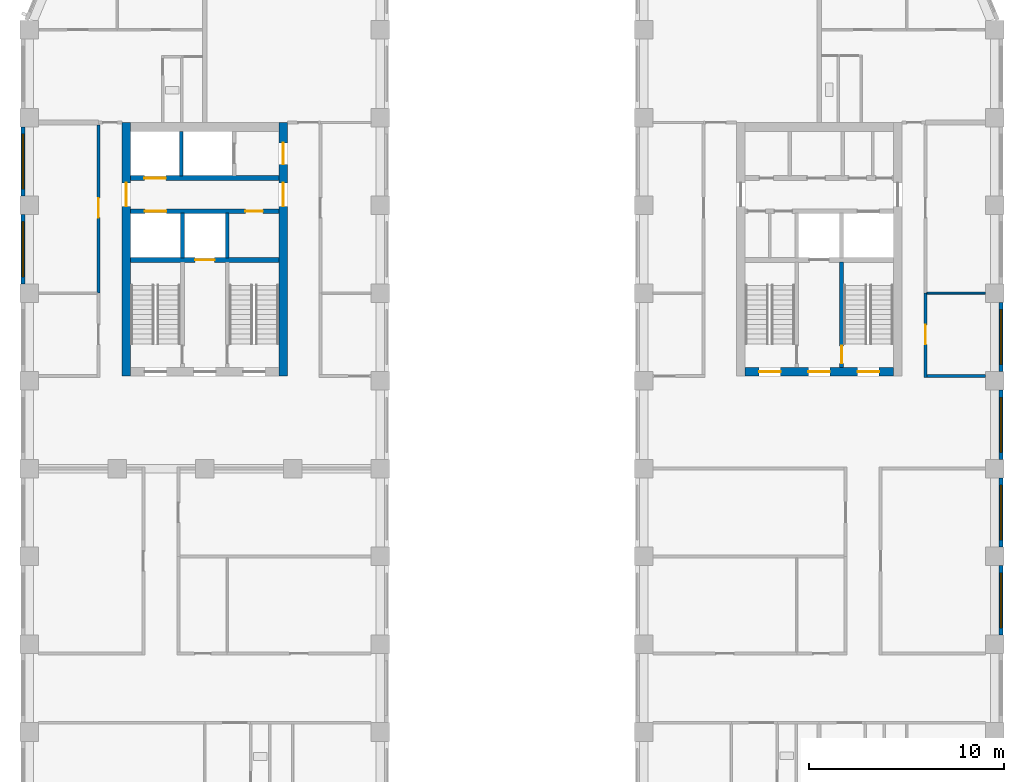
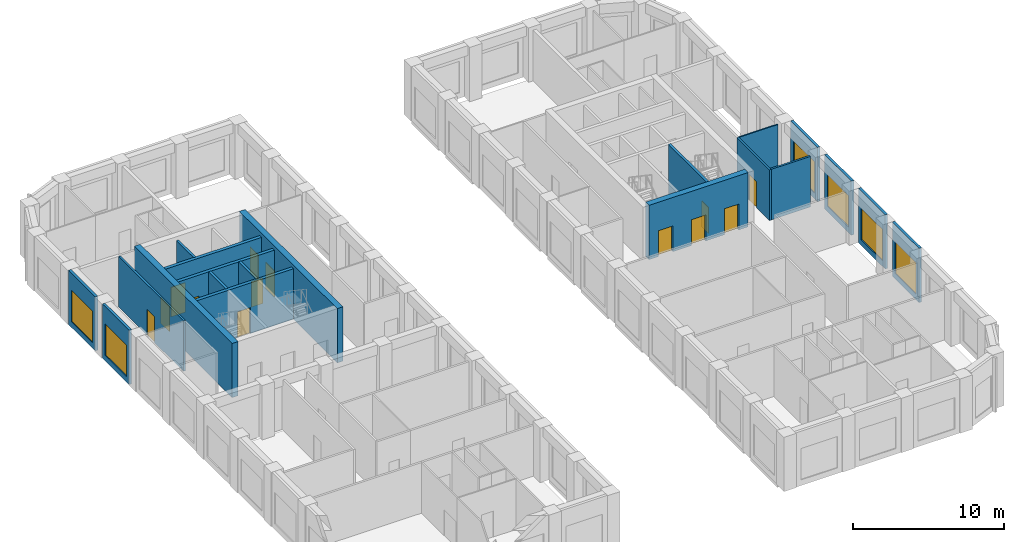
# One storey, part 6 of 13: 20 walls, 13 doors, 6 windows, 19 openings.
"""IFC4 building model written with IfcOpenShell, lengths in metres."""

from ifc_helpers import new_model, si_unit, direction, frame, frame_2d, origin, place, context, subcontext, project, spatial, rectangle, extrude, material, layer, layer_set, type_object, element, fill, save


model = new_model("IFC4")

# Units and contexts
model_context = context("Model", 3, precision=1e-05, world=origin(), true_north=direction((0.0, 1.0)))
body_context = subcontext(model_context, "Body", "Model", "MODEL_VIEW")
ifc_project = project(units=[si_unit("LENGTHUNIT", "METRE"), si_unit("AREAUNIT", "SQUARE_METRE"), si_unit("VOLUMEUNIT", "CUBIC_METRE"), si_unit("PLANEANGLEUNIT", "RADIAN"), si_unit("MASSUNIT", "GRAM", prefix="KILO")], contexts=[model_context])

# Site, building, storey
site_placement = place(None, origin())
site = spatial("IfcSite", under=ifc_project, at=site_placement, CompositionType="ELEMENT")
building_placement = place(site_placement, origin())
building = spatial("IfcBuilding", under=site, at=building_placement, Name="Girih Gate Residences", CompositionType="ELEMENT")
storey_placement = place(building_placement, frame((0.0, 0.0, 150.60009765625)))
storey = spatial("IfcBuildingStorey", under=building, at=storey_placement, Name="L42", CompositionType="ELEMENT", Elevation=150.60009765625)

# Wall, opening, door
ifc_material_1 = material(Name="Gypsum board on steel studs", Category="steel")
ifc_layer_1 = layer(ifc_material_1, 0.14990234375)
ifc_layer_set_1 = layer_set([ifc_layer_1], Name="Compartment wall 150 mm")
wall_type_1 = type_object("IfcWallType", Name="Compartment wall 150 mm", PredefinedType="PARTITIONING", material=ifc_layer_set_1)
wall_1_placement = place(storey_placement, frame((45.949951171875, 31.5, 0.0), z_axis=(0.0, 0.0, 1.0), x_axis=(0.0, -1.0, 0.0)))
wall_1 = element("IfcWall", 1, at=wall_1_placement, inside=storey, type_object=wall_type_1, Name="L42 partition", PredefinedType="PARTITIONING", context=body_context, shape_type="SweptSolid", body=[
    extrude(rectangle(XDim=4.324951171875, YDim=0.14990234375, at=frame_2d((2.16259765625, 0.0))), origin(), (0.0, 0.0, 1.0), 4.099853515625),
])
opening_1_placement = place(wall_1_placement, frame((1.625, 0.0, 0.0)))
opening_1 = element("IfcOpeningElement", 2, at=opening_1_placement, cuts=wall_1, Name="Opening A42-037", PredefinedType="OPENING", context=body_context, shape_type="SweptSolid", body=[
    extrude(rectangle(XDim=1.0, YDim=2.10009765625, at=frame_2d((0.5, 1.050048828125))), frame((0.0, 0.0849609375, 0.0), z_axis=(0.0, -1.0, 0.0), x_axis=(1.0, 0.0, 0.0)), (0.0, 0.0, 1.0), 0.169921875),
])
ifc_material_2 = material(Name="Timber, fire-rated core", Category="wood")
door_type_1 = type_object("IfcDoorType", Name="Amenity room door 1000x2100 FD30S", OperationType="NOTDEFINED", PredefinedType="DOOR", material=ifc_material_2)
door_1_placement = place(opening_1_placement, origin())
door_1 = element("IfcDoor", 3, at=door_1_placement, inside=storey, type_object=door_type_1, Name="Door A42-037", OperationType="SINGLE_SWING_LEFT", OverallHeight=2.10009765625, OverallWidth=1.0, PredefinedType="DOOR", context=body_context, shape_type="SweptSolid", body=[
    extrude(rectangle(XDim=1.0, YDim=2.10009765625, at=frame_2d((0.5, 1.050048828125))), frame((0.0, 0.02490234375, 0.0), z_axis=(0.0, -1.0, 0.0), x_axis=(1.0, 0.0, 0.0)), (0.0, 0.0, 1.0), 0.050048828125),
])
fill(opening_1, door_1)

# Wall
wall_2_placement = place(storey_placement, frame((46.02490234375, 27.25, 0.0), z_axis=(0.0, 0.0, 1.0), x_axis=(1.0, 0.0, 0.0)))
element("IfcWall", 4, at=wall_2_placement, inside=storey, type_object=wall_type_1, Name="L42 partition", PredefinedType="PARTITIONING", context=body_context, shape_type="SweptSolid", body=[
    extrude(rectangle(XDim=3.0, YDim=0.14990234375, at=frame_2d((1.5, 0.0))), origin(), (0.0, 0.0, 1.0), 4.099853515625),
])

# Wall, opening, door
wall_3_placement = place(storey_placement, frame((3.550048828125, 31.5, 0.0), z_axis=(0.0, 0.0, 1.0), x_axis=(0.0, 1.0, 0.0)))
wall_3 = element("IfcWall", 5, at=wall_3_placement, inside=storey, type_object=wall_type_1, Name="L42 partition", PredefinedType="PARTITIONING", context=body_context, shape_type="SweptSolid", body=[
    extrude(rectangle(XDim=8.625, YDim=0.14990234375, at=frame_2d((4.3125, 0.0))), origin(), (0.0, 0.0, 1.0), 4.099853515625),
])
opening_2_placement = place(wall_3_placement, frame((3.875, 0.0, 0.0)))
opening_2 = element("IfcOpeningElement", 6, at=opening_2_placement, cuts=wall_3, Name="Opening A42-042", PredefinedType="OPENING", context=body_context, shape_type="SweptSolid", body=[
    extrude(rectangle(XDim=1.0, YDim=2.10009765625, at=frame_2d((0.5, 1.050048828125))), frame((0.0, 0.0849609375, 0.0), z_axis=(0.0, -1.0, 0.0), x_axis=(1.0, 0.0, 0.0)), (0.0, 0.0, 1.0), 0.169921875),
])
door_2_placement = place(opening_2_placement, origin())
door_2 = element("IfcDoor", 7, at=door_2_placement, inside=storey, type_object=door_type_1, Name="Door A42-042", OperationType="SINGLE_SWING_RIGHT", OverallHeight=2.10009765625, OverallWidth=1.0, PredefinedType="DOOR", context=body_context, shape_type="SweptSolid", body=[
    extrude(rectangle(XDim=1.0, YDim=2.10009765625, at=frame_2d((0.5, 1.050048828125))), frame((0.0, 0.02490234375, 0.0), z_axis=(0.0, -1.0, 0.0), x_axis=(1.0, 0.0, 0.0)), (0.0, 0.0, 1.0), 0.050048828125),
])
fill(opening_2, door_2)

ifc_material_3 = material(Name="Concrete C60/75", Category="concrete")
ifc_layer_2 = layer(ifc_material_3, 0.449951171875)
ifc_layer_set_2 = layer_set([ifc_layer_2], Name="Core wall RC 450 Concrete C60/75")
wall_type_2 = type_object("IfcWallType", Name="Core wall RC 450 Concrete C60/75", PredefinedType="SOLIDWALL", material=ifc_layer_set_2)
wall_4_placement = place(storey_placement, frame((4.97509765625, 27.25, 0.0), z_axis=(0.0, 0.0, 1.0), x_axis=(0.0, 1.0, 0.0)))
wall_4 = element("IfcWall", 8, at=wall_4_placement, inside=storey, type_object=wall_type_2, Name="Core wall W-W L42", PredefinedType="SOLIDWALL", context=body_context, shape_type="SweptSolid", body=[
    extrude(rectangle(XDim=13.0, YDim=0.449951171875, at=frame_2d((6.5, 0.0))), origin(), (0.0, 0.0, 1.0), 4.39990234375),
])
opening_3_placement = place(wall_4_placement, frame((8.699951171875, 0.0, 0.0)))
opening_3 = element("IfcOpeningElement", 9, at=opening_3_placement, cuts=wall_4, Name="Opening D-L42-W-012", PredefinedType="OPENING", context=body_context, shape_type="SweptSolid", body=[
    extrude(rectangle(XDim=1.199951171875, YDim=2.10009765625, at=frame_2d((0.60009765625, 1.050048828125))), frame((0.0, 0.23486328125, 0.0), z_axis=(0.0, -1.0, 0.0), x_axis=(1.0, 0.0, 0.0)), (0.0, 0.0, 1.0), 0.469970703125),
])
ifc_material_4 = material(Name="Painted steel, fire-resisting", Category="steel")
door_type_2 = type_object("IfcDoorType", Name="Fire door 1200x2100", OperationType="SINGLE_SWING_LEFT", PredefinedType="DOOR", material=ifc_material_4)
door_3_placement = place(opening_3_placement, origin())
door_3 = element("IfcDoor", 10, at=door_3_placement, inside=storey, type_object=door_type_2, Name="L42 W core door ll-w", OperationType="SINGLE_SWING_LEFT", OverallHeight=2.10009765625, OverallWidth=1.199951171875, PredefinedType="DOOR", context=body_context, shape_type="SweptSolid", body=[
    extrude(rectangle(XDim=1.199951171875, YDim=2.10009765625, at=frame_2d((0.60009765625, 1.050048828125))), frame((0.0, 0.02490234375, 0.0), z_axis=(0.0, -1.0, 0.0), x_axis=(1.0, 0.0, 0.0)), (0.0, 0.0, 1.0), 0.050048828125),
])
fill(opening_3, door_3)

# Wall, openings, doors
wall_5_placement = place(storey_placement, frame((13.02490234375, 27.25, 0.0), z_axis=(0.0, 0.0, 1.0), x_axis=(0.0, 1.0, 0.0)))
wall_5 = element("IfcWall", 11, at=wall_5_placement, inside=storey, type_object=wall_type_2, Name="Core wall W-E L42", PredefinedType="SOLIDWALL", context=body_context, shape_type="SweptSolid", body=[
    extrude(rectangle(XDim=13.0, YDim=0.449951171875, at=frame_2d((6.5, 0.0))), origin(), (0.0, 0.0, 1.0), 4.39990234375),
])
opening_4_placement = place(wall_5_placement, frame((10.85009765625, 0.0, 0.0)))
opening_4 = element("IfcOpeningElement", 12, at=opening_4_placement, cuts=wall_5, Name="Opening D-L42-W-011", PredefinedType="OPENING", context=body_context, shape_type="SweptSolid", body=[
    extrude(rectangle(XDim=1.10009765625, YDim=2.10009765625, at=frame_2d((0.550048828125, 1.050048828125))), frame((0.0, 0.23486328125, 0.0), z_axis=(0.0, -1.0, 0.0), x_axis=(1.0, 0.0, 0.0)), (0.0, 0.0, 1.0), 0.469970703125),
])
opening_5_placement = place(wall_5_placement, frame((8.699951171875, 0.0, 0.0)))
opening_5 = element("IfcOpeningElement", 13, at=opening_5_placement, cuts=wall_5, Name="Opening D-L42-W-013", PredefinedType="OPENING", context=body_context, shape_type="SweptSolid", body=[
    extrude(rectangle(XDim=1.199951171875, YDim=2.10009765625, at=frame_2d((0.60009765625, 1.050048828125))), frame((0.0, 0.23486328125, 0.0), z_axis=(0.0, -1.0, 0.0), x_axis=(1.0, 0.0, 0.0)), (0.0, 0.0, 1.0), 0.469970703125),
])
door_type_3 = type_object("IfcDoorType", Name="Fire door 1100x2100", OperationType="SINGLE_SWING_LEFT", PredefinedType="DOOR", material=ifc_material_4)
door_4_placement = place(opening_4_placement, origin())
door_4 = element("IfcDoor", 14, at=door_4_placement, inside=storey, type_object=door_type_3, Name="L42 W core door ffl2-e", OperationType="SINGLE_SWING_LEFT", OverallHeight=2.10009765625, OverallWidth=1.10009765625, PredefinedType="DOOR", context=body_context, shape_type="SweptSolid", body=[
    extrude(rectangle(XDim=1.10009765625, YDim=2.10009765625, at=frame_2d((0.550048828125, 1.050048828125))), frame((0.0, 0.02490234375, 0.0), z_axis=(0.0, -1.0, 0.0), x_axis=(1.0, 0.0, 0.0)), (0.0, 0.0, 1.0), 0.050048828125),
])
fill(opening_4, door_4)
door_5_placement = place(opening_5_placement, origin())
door_5 = element("IfcDoor", 15, at=door_5_placement, inside=storey, type_object=door_type_2, Name="L42 W core door ll-e", OperationType="SINGLE_SWING_LEFT", OverallHeight=2.10009765625, OverallWidth=1.199951171875, PredefinedType="DOOR", context=body_context, shape_type="SweptSolid", body=[
    extrude(rectangle(XDim=1.199951171875, YDim=2.10009765625, at=frame_2d((0.60009765625, 1.050048828125))), frame((0.0, 0.02490234375, 0.0), z_axis=(0.0, -1.0, 0.0), x_axis=(1.0, 0.0, 0.0)), (0.0, 0.0, 1.0), 0.050048828125),
])
fill(opening_5, door_5)

wall_6_placement = place(storey_placement, frame((36.699951171875, 27.47509765625, 0.0), z_axis=(0.0, 0.0, 1.0), x_axis=(1.0, 0.0, 0.0)))
wall_6 = element("IfcWall", 16, at=wall_6_placement, inside=storey, type_object=wall_type_2, Name="Core wall E-S L42", PredefinedType="SOLIDWALL", context=body_context, shape_type="SweptSolid", body=[
    extrude(rectangle(XDim=7.60009765625, YDim=0.449951171875, at=frame_2d((3.800048828125, 0.0))), origin(), (0.0, 0.0, 1.0), 4.39990234375),
])
opening_6_placement = place(wall_6_placement, frame((5.77490234375, 0.0, 0.0)))
opening_6 = element("IfcOpeningElement", 17, at=opening_6_placement, cuts=wall_6, Name="Opening D-L42-E-011", PredefinedType="OPENING", context=body_context, shape_type="SweptSolid", body=[
    extrude(rectangle(XDim=1.10009765625, YDim=2.10009765625, at=frame_2d((0.550048828125, 1.050048828125))), frame((0.0, 0.23486328125, 0.0), z_axis=(0.0, -1.0, 0.0), x_axis=(1.0, 0.0, 0.0)), (0.0, 0.0, 1.0), 0.469970703125),
])
opening_7_placement = place(wall_6_placement, frame((3.25, 0.0, 0.0)))
opening_7 = element("IfcOpeningElement", 18, at=opening_7_placement, cuts=wall_6, Name="Opening D-L42-E-012", PredefinedType="OPENING", context=body_context, shape_type="SweptSolid", body=[
    extrude(rectangle(XDim=1.10009765625, YDim=2.10009765625, at=frame_2d((0.550048828125, 1.050048828125))), frame((0.0, 0.23486328125, 0.0), z_axis=(0.0, -1.0, 0.0), x_axis=(1.0, 0.0, 0.0)), (0.0, 0.0, 1.0), 0.469970703125),
])
opening_8_placement = place(wall_6_placement, frame((0.72509765625, 0.0, 0.0)))
opening_8 = element("IfcOpeningElement", 19, at=opening_8_placement, cuts=wall_6, Name="Opening D-L42-E-013", PredefinedType="OPENING", context=body_context, shape_type="SweptSolid", body=[
    extrude(rectangle(XDim=1.10009765625, YDim=2.10009765625, at=frame_2d((0.550048828125, 1.050048828125))), frame((0.0, 0.23486328125, 0.0), z_axis=(0.0, -1.0, 0.0), x_axis=(1.0, 0.0, 0.0)), (0.0, 0.0, 1.0), 0.469970703125),
])
door_6_placement = place(opening_6_placement, origin())
door_6 = element("IfcDoor", 20, at=door_6_placement, inside=storey, type_object=door_type_3, Name="L42 E core door sta-out", OperationType="SINGLE_SWING_LEFT", OverallHeight=2.10009765625, OverallWidth=1.10009765625, PredefinedType="DOOR", context=body_context, shape_type="SweptSolid", body=[
    extrude(rectangle(XDim=1.10009765625, YDim=2.10009765625, at=frame_2d((0.550048828125, 1.050048828125))), frame((0.0, 0.02490234375, 0.0), z_axis=(0.0, -1.0, 0.0), x_axis=(1.0, 0.0, 0.0)), (0.0, 0.0, 1.0), 0.050048828125),
])
fill(opening_6, door_6)
door_7_placement = place(opening_7_placement, origin())
door_7 = element("IfcDoor", 21, at=door_7_placement, inside=storey, type_object=door_type_3, Name="L42 E core door ffl-out", OperationType="SINGLE_SWING_LEFT", OverallHeight=2.10009765625, OverallWidth=1.10009765625, PredefinedType="DOOR", context=body_context, shape_type="SweptSolid", body=[
    extrude(rectangle(XDim=1.10009765625, YDim=2.10009765625, at=frame_2d((0.550048828125, 1.050048828125))), frame((0.0, 0.02490234375, 0.0), z_axis=(0.0, -1.0, 0.0), x_axis=(1.0, 0.0, 0.0)), (0.0, 0.0, 1.0), 0.050048828125),
])
fill(opening_7, door_7)
door_8_placement = place(opening_8_placement, origin())
door_8 = element("IfcDoor", 22, at=door_8_placement, inside=storey, type_object=door_type_3, Name="L42 E core door stb-out", OperationType="SINGLE_SWING_LEFT", OverallHeight=2.10009765625, OverallWidth=1.10009765625, PredefinedType="DOOR", context=body_context, shape_type="SweptSolid", body=[
    extrude(rectangle(XDim=1.10009765625, YDim=2.10009765625, at=frame_2d((0.550048828125, 1.050048828125))), frame((0.0, 0.02490234375, 0.0), z_axis=(0.0, -1.0, 0.0), x_axis=(1.0, 0.0, 0.0)), (0.0, 0.0, 1.0), 0.050048828125),
])
fill(opening_8, door_8)

# Wall, opening, door
ifc_material_5 = material(Name="Concrete C40/50", Category="concrete")
ifc_layer_3 = layer(ifc_material_5, 0.25)
ifc_layer_set_3 = layer_set([ifc_layer_3], Name="Lift shaft wall 250")
wall_type_3 = type_object("IfcWallType", Name="Lift shaft wall 250", PredefinedType="SOLIDWALL", material=ifc_layer_set_3)
wall_7_placement = place(storey_placement, frame((5.199951171875, 33.199951171875, 0.0), z_axis=(0.0, 0.0, 1.0), x_axis=(1.0, 0.0, 0.0)))
wall_7 = element("IfcWall", 23, at=wall_7_placement, inside=storey, type_object=wall_type_3, Name="L42 W core wall H1", PredefinedType="SOLIDWALL", context=body_context, shape_type="SweptSolid", body=[
    extrude(rectangle(XDim=7.60009765625, YDim=0.25, at=frame_2d((3.800048828125, 0.0))), origin(), (0.0, 0.0, 1.0), 4.099853515625),
])
opening_9_placement = place(wall_7_placement, frame((3.300048828125, 0.0, 0.0)))
opening_9 = element("IfcOpeningElement", 24, at=opening_9_placement, cuts=wall_7, Name="Opening D-L42-W-006", PredefinedType="OPENING", context=body_context, shape_type="SweptSolid", body=[
    extrude(rectangle(XDim=1.0, YDim=2.10009765625, at=frame_2d((0.5, 1.050048828125))), frame((0.0, 0.135009765625, 0.0), z_axis=(0.0, -1.0, 0.0), x_axis=(1.0, 0.0, 0.0)), (0.0, 0.0, 1.0), 0.27001953125),
])
ifc_material_6 = material(Name="Stainless steel, fire-resisting", Category="steel")
door_type_4 = type_object("IfcDoorType", Name="Firefighting lift landing door 1000x2100", OperationType="SLIDING_TO_LEFT", PredefinedType="DOOR", material=ifc_material_6)
door_9_placement = place(opening_9_placement, origin())
door_9 = element("IfcDoor", 25, at=door_9_placement, inside=storey, type_object=door_type_4, Name="L42 lift FF-W landing door", OperationType="SLIDING_TO_LEFT", OverallHeight=2.10009765625, OverallWidth=1.0, PredefinedType="DOOR", context=body_context, shape_type="SweptSolid", body=[
    extrude(rectangle(XDim=1.0, YDim=2.10009765625, at=frame_2d((0.5, 1.050048828125))), frame((0.0, 0.02490234375, 0.0), z_axis=(0.0, -1.0, 0.0), x_axis=(1.0, 0.0, 0.0)), (0.0, 0.0, 1.0), 0.050048828125),
])
fill(opening_9, door_9)

# Wall, openings, doors
wall_8_placement = place(storey_placement, frame((5.199951171875, 35.699951171875, 0.0), z_axis=(0.0, 0.0, 1.0), x_axis=(1.0, 0.0, 0.0)))
wall_8 = element("IfcWall", 26, at=wall_8_placement, inside=storey, type_object=wall_type_3, Name="L42 W core wall H2", PredefinedType="SOLIDWALL", context=body_context, shape_type="SweptSolid", body=[
    extrude(rectangle(XDim=7.60009765625, YDim=0.25, at=frame_2d((3.800048828125, 0.0))), origin(), (0.0, 0.0, 1.0), 4.099853515625),
])
opening_10_placement = place(wall_8_placement, frame((0.72509765625, 0.0, 0.0)))
opening_10 = element("IfcOpeningElement", 27, at=opening_10_placement, cuts=wall_8, Name="Opening D-L42-W-005", PredefinedType="OPENING", context=body_context, shape_type="SweptSolid", body=[
    extrude(rectangle(XDim=1.10009765625, YDim=2.39990234375, at=frame_2d((0.550048828125, 1.199951171875))), frame((0.0, 0.135009765625, 0.0), z_axis=(0.0, -1.0, 0.0), x_axis=(1.0, 0.0, 0.0)), (0.0, 0.0, 1.0), 0.27001953125),
])
opening_11_placement = place(wall_8_placement, frame((5.875, 0.0, 0.0)))
opening_11 = element("IfcOpeningElement", 28, at=opening_11_placement, cuts=wall_8, Name="Opening D-L42-W-007", PredefinedType="OPENING", context=body_context, shape_type="SweptSolid", body=[
    extrude(rectangle(XDim=0.89990234375, YDim=2.10009765625, at=frame_2d((0.449951171875, 1.050048828125))), frame((0.0, 0.135009765625, 0.0), z_axis=(0.0, -1.0, 0.0), x_axis=(1.0, 0.0, 0.0)), (0.0, 0.0, 1.0), 0.27001953125),
])
door_type_5 = type_object("IfcDoorType", Name="Fire door 900x2100", OperationType="SINGLE_SWING_LEFT", PredefinedType="DOOR", material=ifc_material_4)
door_10_placement = place(opening_11_placement, origin())
door_10 = element("IfcDoor", 29, at=door_10_placement, inside=storey, type_object=door_type_5, Name="L42 W refuse store door", OperationType="SINGLE_SWING_LEFT", OverallHeight=2.10009765625, OverallWidth=0.89990234375, PredefinedType="DOOR", context=body_context, shape_type="SweptSolid", body=[
    extrude(rectangle(XDim=0.89990234375, YDim=2.10009765625, at=frame_2d((0.449951171875, 1.050048828125))), frame((0.0, 0.02490234375, 0.0), z_axis=(0.0, -1.0, 0.0), x_axis=(1.0, 0.0, 0.0)), (0.0, 0.0, 1.0), 0.050048828125),
])
fill(opening_11, door_10)
ifc_material_7 = material(Name="Stainless steel", Category="steel")
door_type_6 = type_object("IfcDoorType", Name="Lift landing door 1100x2400", OperationType="SLIDING_TO_LEFT", PredefinedType="DOOR", material=ifc_material_7)
door_11_placement = place(opening_10_placement, origin())
door_11 = element("IfcDoor", 30, at=door_11_placement, inside=storey, type_object=door_type_6, Name="L42 lift HR-W1 landing door", OperationType="SLIDING_TO_LEFT", OverallHeight=2.39990234375, OverallWidth=1.10009765625, PredefinedType="DOOR", context=body_context, shape_type="SweptSolid", body=[
    extrude(rectangle(XDim=1.10009765625, YDim=2.39990234375, at=frame_2d((0.550048828125, 1.199951171875))), frame((0.0, 0.02490234375, 0.0), z_axis=(0.0, -1.0, 0.0), x_axis=(1.0, 0.0, 0.0)), (0.0, 0.0, 1.0), 0.050048828125),
])
fill(opening_10, door_11)

# Wall, opening, door
wall_9_placement = place(storey_placement, frame((5.199951171875, 37.39990234375, 0.0), z_axis=(0.0, 0.0, 1.0), x_axis=(1.0, 0.0, 0.0)))
wall_9 = element("IfcWall", 31, at=wall_9_placement, inside=storey, type_object=wall_type_3, Name="L42 W core wall H3", PredefinedType="SOLIDWALL", context=body_context, shape_type="SweptSolid", body=[
    extrude(rectangle(XDim=7.60009765625, YDim=0.25, at=frame_2d((3.800048828125, 0.0))), origin(), (0.0, 0.0, 1.0), 4.099853515625),
])
opening_12_placement = place(wall_9_placement, frame((0.699951171875, 0.0, 0.0)))
opening_12 = element("IfcOpeningElement", 32, at=opening_12_placement, cuts=wall_9, Name="Opening D-L42-W-003", PredefinedType="OPENING", context=body_context, shape_type="SweptSolid", body=[
    extrude(rectangle(XDim=1.10009765625, YDim=2.39990234375, at=frame_2d((0.550048828125, 1.199951171875))), frame((0.0, 0.135009765625, 0.0), z_axis=(0.0, -1.0, 0.0), x_axis=(1.0, 0.0, 0.0)), (0.0, 0.0, 1.0), 0.27001953125),
])
door_12_placement = place(opening_12_placement, origin())
door_12 = element("IfcDoor", 33, at=door_12_placement, inside=storey, type_object=door_type_6, Name="L42 lift LR-W1 landing door", OperationType="SLIDING_TO_LEFT", OverallHeight=2.39990234375, OverallWidth=1.10009765625, PredefinedType="DOOR", context=body_context, shape_type="SweptSolid", body=[
    extrude(rectangle(XDim=1.10009765625, YDim=2.39990234375, at=frame_2d((0.550048828125, 1.199951171875))), frame((0.0, 0.02490234375, 0.0), z_axis=(0.0, -1.0, 0.0), x_axis=(1.0, 0.0, 0.0)), (0.0, 0.0, 1.0), 0.050048828125),
])
fill(opening_12, door_12)

# Wall
ifc_layer_4 = layer(ifc_material_1, 0.10009765625)
ifc_layer_set_4 = layer_set([ifc_layer_4], Name="Partition 100 mm")
wall_type_4 = type_object("IfcWallType", Name="Partition 100 mm", PredefinedType="PARTITIONING", material=ifc_layer_set_4)
wall_10_placement = place(storey_placement, frame((46.02490234375, 31.5, 0.0), z_axis=(0.0, 0.0, 1.0), x_axis=(1.0, 0.0, 0.0)))
element("IfcWall", 34, at=wall_10_placement, inside=storey, type_object=wall_type_4, Name="L42 partition", PredefinedType="PARTITIONING", context=body_context, shape_type="SweptSolid", body=[
    extrude(rectangle(XDim=3.0, YDim=0.10009765625, at=frame_2d((1.5, 0.0))), origin(), (0.0, 0.0, 1.0), 4.099853515625),
])

# Wall, opening, window
ifc_material_8 = material(Name="Precast concrete C50/60", Category="concrete")
ifc_layer_5 = layer(ifc_material_8, 0.06005859375, Name="Outer leaf")
ifc_material_9 = material(Name="Rigid PIR insulation")
ifc_layer_6 = layer(ifc_material_9, 0.090087890625, Name="Insulation")
ifc_material_10 = material(Name="Precast concrete C40/50", Category="concrete")
ifc_layer_7 = layer(ifc_material_10, 0.050048828125, Name="Inner leaf")
ifc_layer_set_5 = layer_set([ifc_layer_5, ifc_layer_6, ifc_layer_7], Name="Precast concrete C50/60 external wall 200")
wall_type_5 = type_object("IfcWallType", Name="Precast concrete C50/60 external wall 200", PredefinedType="SOLIDWALL", material=ifc_layer_set_5)
wall_11_placement = place(storey_placement, frame((-0.324951171875, 36.47509765625, 0.0), z_axis=(0.0, 0.0, 1.0), x_axis=(0.0, 1.0, 0.0)))
wall_11 = element("IfcWall", 35, at=wall_11_placement, inside=storey, type_object=wall_type_5, Name="External wall W0000_0450.1", PredefinedType="SOLIDWALL", context=body_context, shape_type="SweptSolid", body=[
    extrude(rectangle(XDim=3.5498046875, YDim=0.199951171875, at=frame_2d((1.77490234375, 0.0))), origin(), (0.0, 0.0, 1.0), 4.39990234375),
])
opening_13_placement = place(wall_11_placement, frame((0.375, 0.0, 0.449951171875)))
opening_13 = element("IfcOpeningElement", 36, at=opening_13_placement, cuts=wall_11, Name="Opening W-6A", PredefinedType="OPENING", context=body_context, shape_type="SweptSolid", body=[
    extrude(rectangle(XDim=2.800048828125, YDim=2.550048828125, at=frame_2d((1.39990234375, 1.27490234375))), frame((0.0, 0.10986328125, 0.0), z_axis=(0.0, -1.0, 0.0), x_axis=(1.0, 0.0, 0.0)), (0.0, 0.0, 1.0), 0.219970703125),
])
ifc_material_11 = material(Name="Double glazing in aluminium frame", Category="aluminium")
window_type = type_object("IfcWindowType", Name="Window W-6A 2800x2550", PartitioningType="SINGLE_PANEL", PredefinedType="WINDOW", material=ifc_material_11)
window_1_placement = place(opening_13_placement, origin())
window_1 = element("IfcWindow", 37, at=window_1_placement, inside=storey, type_object=window_type, Name="Window W-6A W0000_0450.1", OverallHeight=2.550048828125, OverallWidth=2.800048828125, PartitioningType="SINGLE_PANEL", PredefinedType="WINDOW", context=body_context, shape_type="SweptSolid", body=[
    extrude(rectangle(XDim=2.800048828125, YDim=2.550048828125, at=frame_2d((1.39990234375, 1.27490234375))), frame((0.0, 0.030029296875, 0.0), z_axis=(0.0, -1.0, 0.0), x_axis=(1.0, 0.0, 0.0)), (0.0, 0.0, 1.0), 0.06005859375),
])
fill(opening_13, window_1)

wall_12_placement = place(storey_placement, frame((-0.324951171875, 31.97509765625, 0.0), z_axis=(0.0, 0.0, 1.0), x_axis=(0.0, 1.0, 0.0)))
wall_12 = element("IfcWall", 38, at=wall_12_placement, inside=storey, type_object=wall_type_5, Name="External wall W0000_0450.2", PredefinedType="SOLIDWALL", context=body_context, shape_type="SweptSolid", body=[
    extrude(rectangle(XDim=3.5498046875, YDim=0.199951171875, at=frame_2d((1.77490234375, 0.0))), origin(), (0.0, 0.0, 1.0), 4.39990234375),
])
opening_14_placement = place(wall_12_placement, frame((0.375, 0.0, 0.449951171875)))
opening_14 = element("IfcOpeningElement", 39, at=opening_14_placement, cuts=wall_12, Name="Opening W-6A", PredefinedType="OPENING", context=body_context, shape_type="SweptSolid", body=[
    extrude(rectangle(XDim=2.800048828125, YDim=2.550048828125, at=frame_2d((1.39990234375, 1.27490234375))), frame((0.0, 0.10986328125, 0.0), z_axis=(0.0, -1.0, 0.0), x_axis=(1.0, 0.0, 0.0)), (0.0, 0.0, 1.0), 0.219970703125),
])
window_2_placement = place(opening_14_placement, origin())
window_2 = element("IfcWindow", 40, at=window_2_placement, inside=storey, type_object=window_type, Name="Window W-6A W0000_0450.2", OverallHeight=2.550048828125, OverallWidth=2.800048828125, PartitioningType="SINGLE_PANEL", PredefinedType="WINDOW", context=body_context, shape_type="SweptSolid", body=[
    extrude(rectangle(XDim=2.800048828125, YDim=2.550048828125, at=frame_2d((1.39990234375, 1.27490234375))), frame((0.0, 0.030029296875, 0.0), z_axis=(0.0, -1.0, 0.0), x_axis=(1.0, 0.0, 0.0)), (0.0, 0.0, 1.0), 0.06005859375),
])
fill(opening_14, window_2)

wall_13_placement = place(storey_placement, frame((49.824951171875, 17.52490234375, 0.0), z_axis=(0.0, 0.0, 1.0), x_axis=(0.0, -1.0, 0.0)))
wall_13 = element("IfcWall", 41, at=wall_13_placement, inside=storey, type_object=wall_type_5, Name="External wall E0495_0045.2", PredefinedType="SOLIDWALL", context=body_context, shape_type="SweptSolid", body=[
    extrude(rectangle(XDim=3.5498046875, YDim=0.199951171875, at=frame_2d((1.77490234375, 0.0))), origin(), (0.0, 0.0, 1.0), 4.39990234375),
])
opening_15_placement = place(wall_13_placement, frame((0.375, 0.0, 0.449951171875)))
opening_15 = element("IfcOpeningElement", 42, at=opening_15_placement, cuts=wall_13, Name="Opening W-6A", PredefinedType="OPENING", context=body_context, shape_type="SweptSolid", body=[
    extrude(rectangle(XDim=2.800048828125, YDim=2.550048828125, at=frame_2d((1.39990234375, 1.27490234375))), frame((0.0, 0.10986328125, 0.0), z_axis=(0.0, -1.0, 0.0), x_axis=(1.0, 0.0, 0.0)), (0.0, 0.0, 1.0), 0.219970703125),
])
window_3_placement = place(opening_15_placement, origin())
window_3 = element("IfcWindow", 43, at=window_3_placement, inside=storey, type_object=window_type, Name="Window W-6A E0495_0045.2", OverallHeight=2.550048828125, OverallWidth=2.800048828125, PartitioningType="SINGLE_PANEL", PredefinedType="WINDOW", context=body_context, shape_type="SweptSolid", body=[
    extrude(rectangle(XDim=2.800048828125, YDim=2.550048828125, at=frame_2d((1.39990234375, 1.27490234375))), frame((0.0, 0.030029296875, 0.0), z_axis=(0.0, -1.0, 0.0), x_axis=(1.0, 0.0, 0.0)), (0.0, 0.0, 1.0), 0.06005859375),
])
fill(opening_15, window_3)

wall_14_placement = place(storey_placement, frame((49.824951171875, 22.02490234375, 0.0), z_axis=(0.0, 0.0, 1.0), x_axis=(0.0, -1.0, 0.0)))
wall_14 = element("IfcWall", 44, at=wall_14_placement, inside=storey, type_object=wall_type_5, Name="External wall E0495_0045.3", PredefinedType="SOLIDWALL", context=body_context, shape_type="SweptSolid", body=[
    extrude(rectangle(XDim=3.5498046875, YDim=0.199951171875, at=frame_2d((1.77490234375, 0.0))), origin(), (0.0, 0.0, 1.0), 4.39990234375),
])
opening_16_placement = place(wall_14_placement, frame((0.375, 0.0, 0.449951171875)))
opening_16 = element("IfcOpeningElement", 45, at=opening_16_placement, cuts=wall_14, Name="Opening W-6A", PredefinedType="OPENING", context=body_context, shape_type="SweptSolid", body=[
    extrude(rectangle(XDim=2.800048828125, YDim=2.550048828125, at=frame_2d((1.39990234375, 1.27490234375))), frame((0.0, 0.10986328125, 0.0), z_axis=(0.0, -1.0, 0.0), x_axis=(1.0, 0.0, 0.0)), (0.0, 0.0, 1.0), 0.219970703125),
])
window_4_placement = place(opening_16_placement, origin())
window_4 = element("IfcWindow", 46, at=window_4_placement, inside=storey, type_object=window_type, Name="Window W-6A E0495_0045.3", OverallHeight=2.550048828125, OverallWidth=2.800048828125, PartitioningType="SINGLE_PANEL", PredefinedType="WINDOW", context=body_context, shape_type="SweptSolid", body=[
    extrude(rectangle(XDim=2.800048828125, YDim=2.550048828125, at=frame_2d((1.39990234375, 1.27490234375))), frame((0.0, 0.030029296875, 0.0), z_axis=(0.0, -1.0, 0.0), x_axis=(1.0, 0.0, 0.0)), (0.0, 0.0, 1.0), 0.06005859375),
])
fill(opening_16, window_4)

wall_15_placement = place(storey_placement, frame((49.824951171875, 26.52490234375, 0.0), z_axis=(0.0, 0.0, 1.0), x_axis=(0.0, -1.0, 0.0)))
wall_15 = element("IfcWall", 47, at=wall_15_placement, inside=storey, type_object=wall_type_5, Name="External wall E0495_0045.4", PredefinedType="SOLIDWALL", context=body_context, shape_type="SweptSolid", body=[
    extrude(rectangle(XDim=3.5498046875, YDim=0.199951171875, at=frame_2d((1.77490234375, 0.0))), origin(), (0.0, 0.0, 1.0), 4.39990234375),
])
opening_17_placement = place(wall_15_placement, frame((0.375, 0.0, 0.449951171875)))
opening_17 = element("IfcOpeningElement", 48, at=opening_17_placement, cuts=wall_15, Name="Opening W-6A", PredefinedType="OPENING", context=body_context, shape_type="SweptSolid", body=[
    extrude(rectangle(XDim=2.800048828125, YDim=2.550048828125, at=frame_2d((1.39990234375, 1.27490234375))), frame((0.0, 0.10986328125, 0.0), z_axis=(0.0, -1.0, 0.0), x_axis=(1.0, 0.0, 0.0)), (0.0, 0.0, 1.0), 0.219970703125),
])
window_5_placement = place(opening_17_placement, origin())
window_5 = element("IfcWindow", 49, at=window_5_placement, inside=storey, type_object=window_type, Name="Window W-6A E0495_0045.4", OverallHeight=2.550048828125, OverallWidth=2.800048828125, PartitioningType="SINGLE_PANEL", PredefinedType="WINDOW", context=body_context, shape_type="SweptSolid", body=[
    extrude(rectangle(XDim=2.800048828125, YDim=2.550048828125, at=frame_2d((1.39990234375, 1.27490234375))), frame((0.0, 0.030029296875, 0.0), z_axis=(0.0, -1.0, 0.0), x_axis=(1.0, 0.0, 0.0)), (0.0, 0.0, 1.0), 0.06005859375),
])
fill(opening_17, window_5)

wall_16_placement = place(storey_placement, frame((49.824951171875, 31.02490234375, 0.0), z_axis=(0.0, 0.0, 1.0), x_axis=(0.0, -1.0, 0.0)))
wall_16 = element("IfcWall", 50, at=wall_16_placement, inside=storey, type_object=wall_type_5, Name="External wall E0495_0045.5", PredefinedType="SOLIDWALL", context=body_context, shape_type="SweptSolid", body=[
    extrude(rectangle(XDim=3.5498046875, YDim=0.199951171875, at=frame_2d((1.77490234375, 0.0))), origin(), (0.0, 0.0, 1.0), 4.39990234375),
])
opening_18_placement = place(wall_16_placement, frame((0.375, 0.0, 0.449951171875)))
opening_18 = element("IfcOpeningElement", 51, at=opening_18_placement, cuts=wall_16, Name="Opening W-6A", PredefinedType="OPENING", context=body_context, shape_type="SweptSolid", body=[
    extrude(rectangle(XDim=2.800048828125, YDim=2.550048828125, at=frame_2d((1.39990234375, 1.27490234375))), frame((0.0, 0.10986328125, 0.0), z_axis=(0.0, -1.0, 0.0), x_axis=(1.0, 0.0, 0.0)), (0.0, 0.0, 1.0), 0.219970703125),
])
window_6_placement = place(opening_18_placement, origin())
window_6 = element("IfcWindow", 52, at=window_6_placement, inside=storey, type_object=window_type, Name="Window W-6A E0495_0045.5", OverallHeight=2.550048828125, OverallWidth=2.800048828125, PartitioningType="SINGLE_PANEL", PredefinedType="WINDOW", context=body_context, shape_type="SweptSolid", body=[
    extrude(rectangle(XDim=2.800048828125, YDim=2.550048828125, at=frame_2d((1.39990234375, 1.27490234375))), frame((0.0, 0.030029296875, 0.0), z_axis=(0.0, -1.0, 0.0), x_axis=(1.0, 0.0, 0.0)), (0.0, 0.0, 1.0), 0.06005859375),
])
fill(opening_18, window_6)

# Walls
ifc_layer_8 = layer(ifc_material_5, 0.175048828125)
ifc_layer_set_6 = layer_set([ifc_layer_8], Name="Riser shaft wall 175")
wall_type_6 = type_object("IfcWallType", Name="Riser shaft wall 175", PredefinedType="SOLIDWALL", material=ifc_layer_set_6)
wall_17_placement = place(storey_placement, frame((7.800048828125, 37.5, 0.0), z_axis=(0.0, 0.0, 1.0), x_axis=(0.0, 1.0, 0.0)))
element("IfcWall", 53, at=wall_17_placement, inside=storey, type_object=wall_type_6, Name="L42 W core wall V1c", PredefinedType="SOLIDWALL", context=body_context, shape_type="SweptSolid", body=[
    extrude(rectangle(XDim=2.300048828125, YDim=0.175048828125, at=frame_2d((1.14990234375, 0.0))), origin(), (0.0, 0.0, 1.0), 4.099853515625),
])
ifc_layer_9 = layer(ifc_material_5, 0.199951171875)
ifc_layer_set_7 = layer_set([ifc_layer_9], Name="Shaft wall 200")
wall_type_7 = type_object("IfcWallType", Name="Shaft wall 200", PredefinedType="SOLIDWALL", material=ifc_layer_set_7)
for number, where, z_axis, x_axis, name in (
    (54, (7.85009765625, 33.300048828125, 0.0), (0.0, 0.0, 1.0), (0.0, 1.0, 0.0), "L42 W core wall V1b"),
    (55, (10.14990234375, 33.300048828125, 0.0), (0.0, 0.0, 1.0), (0.0, 1.0, 0.0), "L42 W core wall V2b"),
):
    element("IfcWall", number, at=place(storey_placement, frame(where, z_axis=z_axis, x_axis=x_axis)), inside=storey, type_object=wall_type_7, Name=name, PredefinedType="SOLIDWALL", context=body_context, shape_type="SweptSolid", body=[
        extrude(rectangle(XDim=2.300048828125, YDim=0.199951171875, at=frame_2d((1.14990234375, 0.0))), origin(), (0.0, 0.0, 1.0), 4.099853515625),
    ])

# Wall, opening, door
wall_18_placement = place(storey_placement, frame((41.64990234375, 27.699951171875, 0.0), z_axis=(0.0, 0.0, 1.0), x_axis=(0.0, 1.0, 0.0)))
wall_18 = element("IfcWall", 56, at=wall_18_placement, inside=storey, type_object=wall_type_7, Name="L42 E core wall V1a", PredefinedType="SOLIDWALL", context=body_context, shape_type="SweptSolid", body=[
    extrude(rectangle(XDim=5.400146484375, YDim=0.199951171875, at=frame_2d((2.7001953125, 0.0))), origin(), (0.0, 0.0, 1.0), 4.099853515625),
])
opening_19_placement = place(wall_18_placement, frame((0.199951171875, 0.0, 0.0)))
opening_19 = element("IfcOpeningElement", 57, at=opening_19_placement, cuts=wall_18, Name="Opening D-L42-E-001", PredefinedType="OPENING", context=body_context, shape_type="SweptSolid", body=[
    extrude(rectangle(XDim=0.89990234375, YDim=2.10009765625, at=frame_2d((0.449951171875, 1.050048828125))), frame((0.0, 0.10986328125, 0.0), z_axis=(0.0, -1.0, 0.0), x_axis=(1.0, 0.0, 0.0)), (0.0, 0.0, 1.0), 0.219970703125),
])
door_13_placement = place(opening_19_placement, origin())
door_13 = element("IfcDoor", 58, at=door_13_placement, inside=storey, type_object=door_type_5, Name="L42 E door stair 1 to firefighting lobby", OperationType="SINGLE_SWING_LEFT", OverallHeight=2.10009765625, OverallWidth=0.89990234375, PredefinedType="DOOR", context=body_context, shape_type="SweptSolid", body=[
    extrude(rectangle(XDim=0.89990234375, YDim=2.10009765625, at=frame_2d((0.449951171875, 1.050048828125))), frame((0.0, 0.02490234375, 0.0), z_axis=(0.0, -1.0, 0.0), x_axis=(1.0, 0.0, 0.0)), (0.0, 0.0, 1.0), 0.050048828125),
])
fill(opening_19, door_13)

save(model, "model.ifc")
